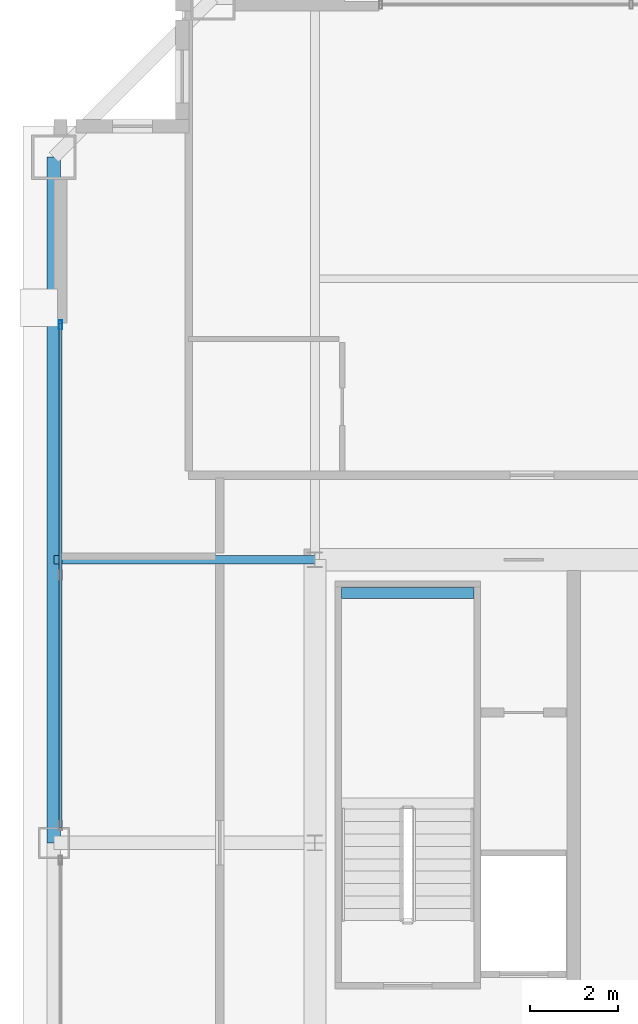
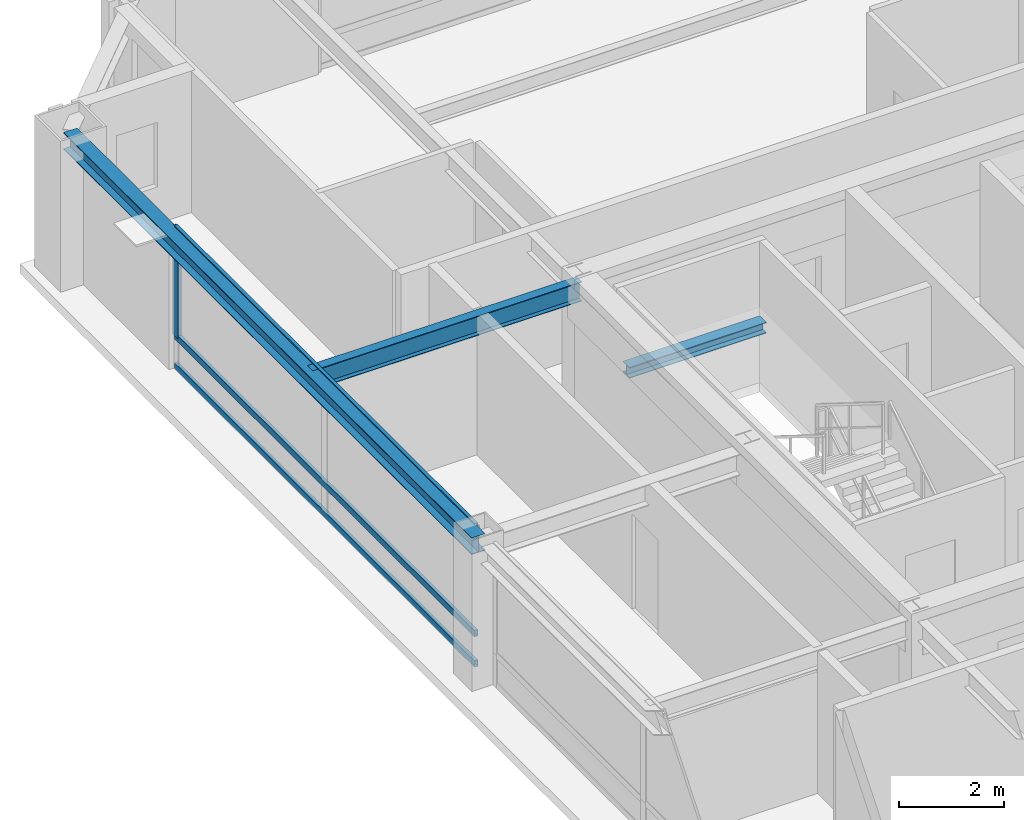
# One storey, part 12 of 34: 4 members, 3 beams, 1 element without a shape of its own.
"""IFC4 building model written with IfcOpenShell, lengths in metres."""

from ifc_helpers import new_model, si_unit, direction, frame, origin, origin_2d, place, context, subcontext, project, spatial, hollow_rectangle, i_section, extrude, source, transform, mapped, material, layer, layer_set, material_profile, profile_set, type_object, element, aggregate, save


model = new_model("IFC4")

# Units and contexts
model_context = context("Model", 3, precision=1e-05, world=origin(), true_north=direction((0.0, 1.0)))
body_context = subcontext(model_context, "Body", "Model", "MODEL_VIEW")
ifc_project = project(units=[si_unit("LENGTHUNIT", "METRE"), si_unit("AREAUNIT", "SQUARE_METRE"), si_unit("VOLUMEUNIT", "CUBIC_METRE"), si_unit("PLANEANGLEUNIT", "RADIAN"), si_unit("MASSUNIT", "GRAM", prefix="KILO"), si_unit("THERMODYNAMICTEMPERATUREUNIT", "KELVIN"), si_unit("POWERUNIT", "WATT")], contexts=[model_context])

# Site, building, storey
site_placement = place(None, origin())
site = spatial("IfcSite", under=ifc_project, at=site_placement, CompositionType="ELEMENT")
building_placement = place(site_placement, origin())
building = spatial("IfcBuilding", under=site, at=building_placement, Name="Yuzanri Waterfront Tower", CompositionType="ELEMENT")
storey_placement = place(building_placement, frame((0.0, 0.0, 325.199951171875)))
storey = spatial("IfcBuildingStorey", under=building, at=storey_placement, Name="L87", CompositionType="ELEMENT", Elevation=325.199951171875)

# Beams
ifc_material_1 = material(Name="Steel Q355B", Category="steel")
ifc_material_profile_1 = material_profile(ifc_material_1, i_section(OverallWidth=0.300048828125, OverallDepth=0.389892578125, WebThickness=0.010009765625, FlangeThickness=0.01611328125, at=origin_2d()), Name="HM 390x300x10x16")
ifc_profile_set_1 = profile_set([ifc_material_profile_1], Name="Steel Q355B")
beam_type_1 = type_object("IfcBeamType", Name="Perimeter Spandrel Q355B HM 390x300", PredefinedType="SPANDREL", material=ifc_profile_set_1)
shared_shape_1 = source(origin(), body_context, "Body", "SweptSolid", [
    extrude(i_section(OverallWidth=0.300048828125, OverallDepth=0.389892578125, WebThickness=0.010009765625, FlangeThickness=0.01611328125, at=origin_2d()), origin(), (0.0, 0.0, 1.0), 15.5),
])
beam_1_placement = place(storey_placement, frame((17.89990234375, 41.300048828125, 3.0849609375), z_axis=(0.0, -1.0, 0.0), x_axis=(1.0, 0.0, 0.0)))
element("IfcBeam", 1, at=beam_1_placement, inside=storey, type_object=beam_type_1, Name="L87 Perimeter Spandrel W3-W2", PredefinedType="SPANDREL", context=body_context, shape_type="MappedRepresentation", body=[
    mapped(shared_shape_1, transform((0.0, 0.0, 0.0), scale=1.0)),
])
ifc_material_2 = material(Name="Steel Q355B", Category="steel")
ifc_material_profile_2 = material_profile(ifc_material_2, i_section(OverallWidth=0.199951171875, OverallDepth=0.449951171875, WebThickness=0.009033203125, FlangeThickness=0.013916015625, at=origin_2d()), Name="HN 450x200x9x14")
ifc_profile_set_2 = profile_set([ifc_material_profile_2], Name="Steel Q355B")
beam_type_2 = type_object("IfcBeamType", Name="Secondary Floor Beam Q355B HN 450x200", PredefinedType="BEAM", material=ifc_profile_set_2)
shared_shape_2 = source(origin(), body_context, "Body", "SweptSolid", [
    extrude(i_section(OverallWidth=0.199951171875, OverallDepth=0.449951171875, WebThickness=0.009033203125, FlangeThickness=0.013916015625, at=origin_2d()), origin(), (0.0, 0.0, 1.0), 5.900146484375),
])
beam_2_placement = place(storey_placement, frame((23.800048828125, 32.199951171875, 3.054931640625), z_axis=(-1.0, 0.0, 0.0), x_axis=(0.0, -1.0, 0.0)))
element("IfcBeam", 2, at=beam_2_placement, inside=storey, type_object=beam_type_2, Name="L87 West-North Core Line Beam", PredefinedType="BEAM", context=body_context, shape_type="MappedRepresentation", body=[
    mapped(shared_shape_2, transform((0.0, 0.0, 0.0), scale=1.0)),
])

# Curtain wall, members
ifc_material_3 = material(Name="Anodized Architectural Bronze", Category="metal")
ifc_layer = layer(ifc_material_3, 0.159912109375)
ifc_layer_set = layer_set([ifc_layer], Name="Anodized Architectural Bronze")
curtain_wall_type = type_object("IfcCurtainWallType", Name="Anodized Bronze High-Rise Penthouse High-Wind Unitized Curtain Wall 6900", PredefinedType="NOTDEFINED", material=ifc_layer_set)
curtain_wall_placement = place(storey_placement, origin())
curtain_wall = element("IfcCurtainWall", 3, at=curtain_wall_placement, inside=storey, type_object=curtain_wall_type, Name="L87 Curtain Wall CW-L87-WR", PredefinedType="NOTDEFINED")
ifc_material_4 = material(Name="Anodized Architectural Bronze", Category="metal")
ifc_material_profile_3 = material_profile(ifc_material_4, hollow_rectangle(XDim=0.074951171875, YDim=0.199951171875, WallThickness=0.00390625, at=origin_2d()), Name="CWM 75x200")
ifc_profile_set_3 = profile_set([ifc_material_profile_3], Name="Anodized Architectural Bronze")
member_type_1 = type_object("IfcMemberType", Name="Anodized Bronze Primary Curtain-Wall Mullion 75x200", PredefinedType="MULLION", material=ifc_profile_set_3)
shared_shape_3 = source(origin(), body_context, "Body", "SweptSolid", [
    extrude(hollow_rectangle(XDim=0.074951171875, YDim=0.199951171875, WallThickness=0.00390625, at=origin_2d()), origin(), (0.0, 0.0, 1.0), 2.52392578125),
])
member_1_placement = place(storey_placement, frame((18.050048828125, 37.510009765625, 0.756103515625), z_axis=(0.0, 0.0, 1.0), x_axis=(1.0, 0.0, 0.0)))
member_1 = element("IfcMember", 4, at=member_1_placement, type_object=member_type_1, Name="CW-L87-WR Upper Mullion 02", PredefinedType="MULLION", context=body_context, shape_type="MappedRepresentation", body=[
    mapped(shared_shape_3, transform((0.0, 0.0, 0.0), scale=1.0)),
])
ifc_material_5 = material(Name="Anodized Architectural Bronze", Category="metal")
ifc_material_profile_4 = material_profile(ifc_material_5, hollow_rectangle(XDim=0.074951171875, YDim=0.14990234375, WallThickness=0.00390625, at=origin_2d()), Name="CWT 75x150")
ifc_profile_set_4 = profile_set([ifc_material_profile_4], Name="Anodized Architectural Bronze")
member_type_2 = type_object("IfcMemberType", Name="Anodized Bronze Primary Curtain-Wall Transom 75x150", PredefinedType="USERDEFINED", material=ifc_profile_set_4)
shared_shape_4 = source(origin(), body_context, "Body", "SweptSolid", [
    extrude(hollow_rectangle(XDim=0.074951171875, YDim=0.14990234375, WallThickness=0.00390625, at=origin_2d()), origin(), (0.0, 0.0, 1.0), 11.400146484375),
])
member_2_placement = place(storey_placement, frame((18.050048828125, 26.14990234375, 0.050048828125), z_axis=(0.0, 1.0, 0.0), x_axis=(-1.0, 0.0, 0.0)))
member_2 = element("IfcMember", 5, at=member_2_placement, type_object=member_type_2, Name="CW-L87-WR Transom 1", ObjectType="TRANSOM", PredefinedType="USERDEFINED", context=body_context, shape_type="MappedRepresentation", body=[
    mapped(shared_shape_4, transform((0.0, 0.0, 0.0), scale=1.0)),
])
member_3_placement = place(storey_placement, frame((18.050048828125, 26.14990234375, 0.754150390625), z_axis=(0.0, 1.0, 0.0), x_axis=(-1.0, 0.0, 0.0)))
member_3 = element("IfcMember", 6, at=member_3_placement, type_object=member_type_2, Name="CW-L87-WR Transom 2", ObjectType="TRANSOM", PredefinedType="USERDEFINED", context=body_context, shape_type="MappedRepresentation", body=[
    mapped(shared_shape_4, transform((0.0, 0.0, 0.0), scale=1.0)),
])
member_4_placement = place(storey_placement, frame((18.050048828125, 26.14990234375, 3.22998046875), z_axis=(0.0, 1.0, 0.0), x_axis=(-1.0, 0.0, 0.0)))
member_4 = element("IfcMember", 7, at=member_4_placement, type_object=member_type_2, Name="CW-L87-WR Transom 3", ObjectType="TRANSOM", PredefinedType="USERDEFINED", context=body_context, shape_type="MappedRepresentation", body=[
    mapped(shared_shape_4, transform((0.0, 0.0, 0.0), scale=1.0)),
])
aggregate(curtain_wall, [member_1, member_2, member_3, member_4])

# Beam
ifc_material_6 = material(Name="Steel Q355B", Category="steel")
ifc_material_profile_5 = material_profile(ifc_material_6, i_section(OverallWidth=0.25, OverallDepth=0.25, WebThickness=0.009033203125, FlangeThickness=0.013916015625, at=origin_2d()), Name="HW 250x250x9x14")
ifc_profile_set_5 = profile_set([ifc_material_profile_5], Name="Steel Q355B")
beam_type_3 = type_object("IfcBeamType", Name="Stair Landing Support Beam Q355B HW 250x250", PredefinedType="BEAM", material=ifc_profile_set_5)
shared_shape_5 = source(origin(), body_context, "Body", "SweptSolid", [
    extrude(i_section(OverallWidth=0.25, OverallDepth=0.25, WebThickness=0.009033203125, FlangeThickness=0.013916015625, at=origin_2d()), origin(), (0.0, 0.0, 1.0), 3.0),
])
beam_3_placement = place(storey_placement, frame((24.39990234375, 31.449951171875, 1.425048828125), z_axis=(1.0, 0.0, 0.0), x_axis=(0.0, 1.0, 0.0)))
element("IfcBeam", 8, at=beam_3_placement, inside=storey, type_object=beam_type_3, Name="L87 Stair Landing Support Beam ST-01-L87-L1-2", PredefinedType="BEAM", context=body_context, shape_type="MappedRepresentation", body=[
    mapped(shared_shape_5, transform((0.0, 0.0, 0.0), scale=1.0)),
])

save(model, "model.ifc")
